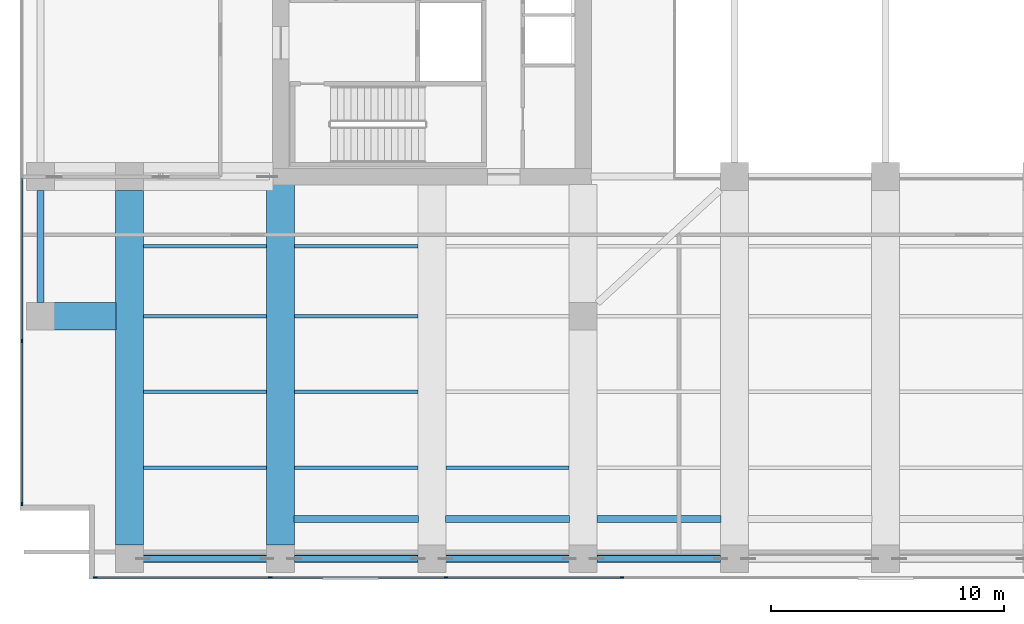
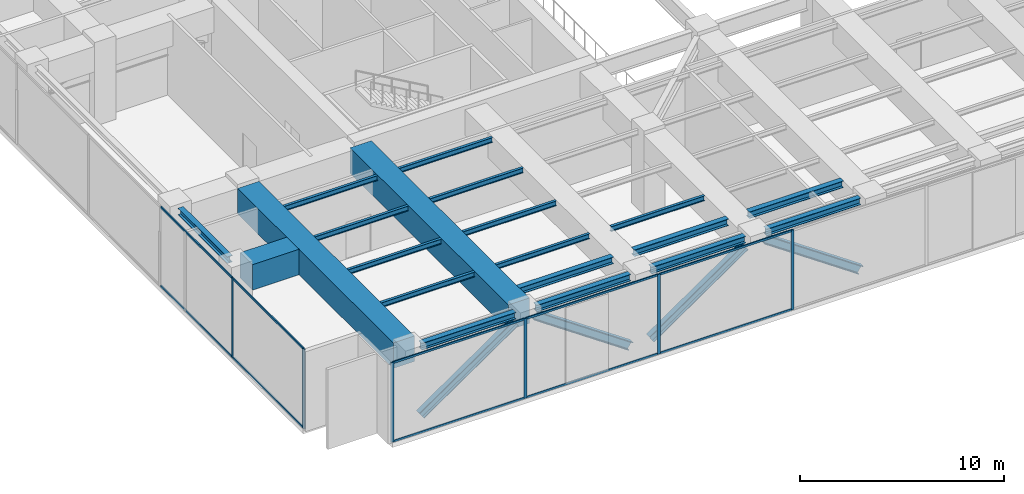
# One storey, part 2 of 28: 20 beams, 20 members, 2 elements without a shape of their own.
"""IFC4 building model written with IfcOpenShell, lengths in metres."""

from ifc_helpers import new_model, si_unit, direction, frame, origin, origin_2d, place, context, subcontext, project, spatial, rectangle, i_section, extrude, material, layer, layer_set, material_profile, profile_set, type_object, element, aggregate, save


model = new_model("IFC4")

# Units and contexts
model_context = context("Model", 3, precision=1e-05, world=origin(), true_north=direction((0.0, 1.0)))
body_context = subcontext(model_context, "Body", "Model", "MODEL_VIEW")
ifc_project = project(units=[si_unit("LENGTHUNIT", "METRE"), si_unit("AREAUNIT", "SQUARE_METRE"), si_unit("VOLUMEUNIT", "CUBIC_METRE"), si_unit("PLANEANGLEUNIT", "RADIAN"), si_unit("MASSUNIT", "GRAM", prefix="KILO")], contexts=[model_context])

# Site, building, storey
site_placement = place(None, origin())
site = spatial("IfcSite", under=ifc_project, at=site_placement, CompositionType="ELEMENT")
building_placement = place(site_placement, origin())
building = spatial("IfcBuilding", under=site, at=building_placement, Name="Putna Gate Headquarters", CompositionType="ELEMENT")
storey_placement = place(building_placement, frame((0.0, 0.0, 139.199951171875)))
storey = spatial("IfcBuildingStorey", under=building, at=storey_placement, Name="L34", CompositionType="ELEMENT", Elevation=139.199951171875)

# Beams
ifc_material_1 = material(Name="Steel S355J2", Category="steel")
ifc_material_profile_1 = material_profile(ifc_material_1, i_section(OverallWidth=0.14990234375, OverallDepth=0.300048828125, WebThickness=0.007080078125, FlangeThickness=0.0107421875, at=origin_2d()), Name="Steel S355J2")
ifc_profile_set_1 = profile_set([ifc_material_profile_1], Name="Steel S355J2")
beam_type_1 = type_object("IfcBeamType", Name="BM-SEC-Z3-IPE300", PredefinedType="JOIST", material=ifc_profile_set_1)
for number, where, z_axis, x_axis, name in (
    (1, (7.10400390625, 6.5, 4.6220703125), (1.0, 0.0, 0.0), (0.0, 1.0, 0.0), "L34 South Secondary Beam 1"),
    (2, (7.10400390625, 9.75, 4.6220703125), (1.0, 0.0, 0.0), (0.0, 1.0, 0.0), "L34 South Secondary Beam 1"),
    (3, (7.10400390625, 13.0, 4.6220703125), (1.0, 0.0, 0.0), (0.0, 1.0, 0.0), "L34 South Secondary Beam 1"),
    (4, (7.10400390625, 16.0, 4.6220703125), (1.0, 0.0, 0.0), (0.0, 1.0, 0.0), "L34 South Secondary Beam 1"),
    (5, (13.60400390625, 6.5, 4.6220703125), (1.0, 0.0, 0.0), (0.0, 1.0, 0.0), "L34 South Secondary Beam 2"),
    (6, (13.60400390625, 9.75, 4.6220703125), (1.0, 0.0, 0.0), (0.0, 1.0, 0.0), "L34 South Secondary Beam 2"),
    (7, (13.60400390625, 13.0, 4.6220703125), (1.0, 0.0, 0.0), (0.0, 1.0, 0.0), "L34 South Secondary Beam 2"),
    (8, (13.60400390625, 16.0, 4.6220703125), (1.0, 0.0, 0.0), (0.0, 1.0, 0.0), "L34 South Secondary Beam 2"),
    (9, (20.10400390625, 6.5, 4.6220703125), (1.0, 0.0, 0.0), (0.0, 1.0, 0.0), "L34 South Secondary Beam 3"),
):
    element("IfcBeam", number, at=place(storey_placement, frame(where, z_axis=z_axis, x_axis=x_axis)), inside=storey, type_object=beam_type_1, Name=name, PredefinedType="JOIST", context=body_context, shape_type="SweptSolid", body=[
        extrude(i_section(OverallWidth=0.14990234375, OverallDepth=0.300048828125, WebThickness=0.007080078125, FlangeThickness=0.0107421875, at=origin_2d()), origin(), (0.0, 0.0, 1.0), 5.2919921875),
    ])
ifc_material_profile_2 = material_profile(ifc_material_1, i_section(OverallWidth=0.300048828125, OverallDepth=0.39990234375, WebThickness=0.013427734375, FlangeThickness=0.02392578125, at=origin_2d()), Name="Steel S355J2")
ifc_profile_set_2 = profile_set([ifc_material_profile_2], Name="Steel S355J2")
beam_type_2 = type_object("IfcBeamType", Name="BM-SPAN-Z3-HEB400", PredefinedType="SPANDREL", material=ifc_profile_set_2)
for number, where, z_axis, x_axis, name in (
    (10, (7.087890625, 2.580078125, 4.572021484375), (1.0, 0.0, 0.0), (0.0, 1.0, 0.0), "L34 S Perimeter Spandrel 1"),
    (11, (13.587890625, 2.580078125, 4.572021484375), (1.0, 0.0, 0.0), (0.0, 1.0, 0.0), "L34 S Perimeter Spandrel 2"),
    (12, (20.087890625, 2.580078125, 4.572021484375), (1.0, 0.0, 0.0), (0.0, 1.0, 0.0), "L34 S Perimeter Spandrel 3"),
    (13, (26.587890625, 2.580078125, 4.572021484375), (1.0, 0.0, 0.0), (0.0, 1.0, 0.0), "L34 S Perimeter Spandrel 4"),
):
    element("IfcBeam", number, at=place(storey_placement, frame(where, z_axis=z_axis, x_axis=x_axis)), inside=storey, type_object=beam_type_2, Name=name, PredefinedType="SPANDREL", context=body_context, shape_type="SweptSolid", body=[
        extrude(i_section(OverallWidth=0.300048828125, OverallDepth=0.39990234375, WebThickness=0.013427734375, FlangeThickness=0.02392578125, at=origin_2d()), origin(), (0.0, 0.0, 1.0), 5.32421875),
    ])
beam_1_placement = place(storey_placement, frame((2.679931640625, 13.587890625, 4.572021484375), z_axis=(0.0, 1.0, 0.0), x_axis=(-1.0, 0.0, 0.0)))
element("IfcBeam", 14, at=beam_1_placement, inside=storey, type_object=beam_type_2, Name="L34 W End Spandrel 1", PredefinedType="SPANDREL", context=body_context, shape_type="SweptSolid", body=[
    extrude(i_section(OverallWidth=0.300048828125, OverallDepth=0.39990234375, WebThickness=0.013427734375, FlangeThickness=0.02392578125, at=origin_2d()), origin(), (0.0, 0.0, 1.0), 4.82421875),
])
for number, where, z_axis, x_axis, name in (
    (15, (13.5849609375, 4.280029296875, 4.572021484375), (1.0, 0.0, 0.0), (0.0, 1.0, 0.0), "L34 Setback Edge Beam S1"),
    (16, (20.0849609375, 4.280029296875, 4.572021484375), (1.0, 0.0, 0.0), (0.0, 1.0, 0.0), "L34 Setback Edge Beam S2"),
    (17, (26.5849609375, 4.280029296875, 4.572021484375), (1.0, 0.0, 0.0), (0.0, 1.0, 0.0), "L34 Setback Edge Beam S3"),
):
    element("IfcBeam", number, at=place(storey_placement, frame(where, z_axis=z_axis, x_axis=x_axis)), inside=storey, type_object=beam_type_2, Name=name, PredefinedType="SPANDREL", context=body_context, shape_type="SweptSolid", body=[
        extrude(i_section(OverallWidth=0.300048828125, OverallDepth=0.39990234375, WebThickness=0.013427734375, FlangeThickness=0.02392578125, at=origin_2d()), origin(), (0.0, 0.0, 1.0), 5.330078125),
    ])
ifc_material_2 = material(Name="Concrete C50/60", Category="concrete")
ifc_material_profile_3 = material_profile(ifc_material_2, rectangle(XDim=1.199951171875, YDim=1.52001953125, at=origin_2d()), Name="Concrete C50/60")
ifc_profile_set_3 = profile_set([ifc_material_profile_3], Name="Concrete C50/60")
beam_type_3 = type_object("IfcBeamType", Name="BM-TG-RC1520", PredefinedType="USERDEFINED", material=ifc_profile_set_3)
beam_2_placement = place(storey_placement, frame((3.26806640625, 13.0, 4.011962890625), z_axis=(1.0, 0.0, 0.0), x_axis=(0.0, 1.0, 0.0)))
element("IfcBeam", 18, at=beam_2_placement, inside=storey, type_object=beam_type_3, Name="L34 West Setback Girder Y13", ObjectType="GIRDER", PredefinedType="USERDEFINED", context=body_context, shape_type="SweptSolid", body=[
    extrude(rectangle(XDim=1.199951171875, YDim=1.52001953125, at=origin_2d()), origin(), (0.0, 0.0, 1.0), 2.64697265625),
])
beam_3_placement = place(storey_placement, frame((6.5, 3.16796875, 4.011962890625), z_axis=(0.0, 1.0, 0.0), x_axis=(-1.0, 0.0, 0.0)))
element("IfcBeam", 19, at=beam_3_placement, inside=storey, type_object=beam_type_3, Name="L34 South Primary Girder X6", ObjectType="GIRDER", PredefinedType="USERDEFINED", context=body_context, shape_type="SweptSolid", body=[
    extrude(rectangle(XDim=1.199951171875, YDim=1.52001953125, at=origin_2d()), origin(), (0.0, 0.0, 1.0), 15.244140625),
])
beam_4_placement = place(storey_placement, frame((13.0, 3.16796875, 4.011962890625), z_axis=(0.0, 1.0, 0.0), x_axis=(-1.0, 0.0, 0.0)))
element("IfcBeam", 20, at=beam_4_placement, inside=storey, type_object=beam_type_3, Name="L34 South Primary Girder X13", ObjectType="GIRDER", PredefinedType="USERDEFINED", context=body_context, shape_type="SweptSolid", body=[
    extrude(rectangle(XDim=1.199951171875, YDim=1.52001953125, at=origin_2d()), origin(), (0.0, 0.0, 1.0), 15.4970703125),
])

# Members
ifc_material_3 = material(Name="Steel S460M", Category="steel")
ifc_material_profile_4 = material_profile(ifc_material_3, i_section(OverallWidth=0.306884765625, OverallDepth=0.47802734375, WebThickness=0.02099609375, FlangeThickness=0.0400390625, at=origin_2d()), Name="Steel S460M")
ifc_profile_set_4 = profile_set([ifc_material_profile_4], Name="Steel S460M")
member_type_1 = type_object("IfcMemberType", Name="MEM-BELT-DIAG-HEM450", PredefinedType="BRACE", material=ifc_profile_set_4)
for number, where, z_axis, x_axis, name in (
    (21, (7.0849609375, 2.580078125, 0.449951171875), (0.823486846025, 0.0, 0.567335363277), (0.0, 1.0, 0.0), "L34 Belt Truss Diagonal S1"),
    (22, (13.5849609375, 2.580078125, 4.1220703125), (0.823486846025, 0.0, -0.567335363277), (0.0, 1.0, 0.0), "L34 Belt Truss Diagonal S2"),
    (23, (20.0849609375, 2.580078125, 0.449951171875), (0.823486846025, 0.0, 0.567335363277), (0.0, 1.0, 0.0), "L34 Belt Truss Diagonal S3"),
    (24, (26.5849609375, 2.580078125, 4.1220703125), (0.823486846025, 0.0, -0.567335363277), (0.0, 1.0, 0.0), "L34 Belt Truss Diagonal S4"),
):
    element("IfcMember", number, at=place(storey_placement, frame(where, z_axis=z_axis, x_axis=x_axis)), inside=storey, type_object=member_type_1, Name=name, PredefinedType="BRACE", context=body_context, shape_type="SweptSolid", body=[
        extrude(i_section(OverallWidth=0.306884765625, OverallDepth=0.47802734375, WebThickness=0.02099609375, FlangeThickness=0.0400390625, at=origin_2d()), origin(), (0.0, 0.0, 1.0), 6.47265625),
    ])

# Curtain wall, members
ifc_material_4 = material(Name="Anodised bronze aluminium curtain wall", Category="aluminium")
ifc_layer = layer(ifc_material_4, 0.159912109375)
ifc_layer_set = layer_set([ifc_layer], Name="Anodised bronze aluminium curtain wall")
curtain_wall_type = type_object("IfcCurtainWallType", Name="CW-SYS-CRN", PredefinedType="USERDEFINED", material=ifc_layer_set)
curtain_wall_1_placement = place(storey_placement, origin())
curtain_wall_1 = element("IfcCurtainWall", 25, at=curtain_wall_1_placement, inside=storey, type_object=curtain_wall_type, Name="L34 Acoustic Louvre South Enclosure", ObjectType="STICK CURTAIN WALL", PredefinedType="USERDEFINED")
ifc_material_5 = material(Name="Anodised bronze aluminium EN AW-6060", Category="aluminium")
ifc_material_profile_5 = material_profile(ifc_material_5, rectangle(XDim=0.06494140625, YDim=0.159912109375, at=origin_2d()), Name="Anodised bronze aluminium EN AW-6060")
ifc_profile_set_5 = profile_set([ifc_material_profile_5], Name="Anodised bronze aluminium EN AW-6060")
member_type_2 = type_object("IfcMemberType", Name="MULL-CWM-CR", PredefinedType="MULLION", material=ifc_profile_set_5)
member_1_placement = place(storey_placement, frame((5.032470703125, 1.780029296875, 0.0), z_axis=(0.0, 0.0, 1.0), x_axis=(0.0, 1.0, 0.0)))
member_1 = element("IfcMember", 26, at=member_1_placement, type_object=member_type_2, Name="CWS-CR mullion 1", PredefinedType="MULLION", context=body_context, shape_type="SweptSolid", body=[
    extrude(rectangle(XDim=0.06494140625, YDim=0.159912109375, at=origin_2d()), origin(), (0.0, 0.0, 1.0), 4.77197265625),
])
member_2_placement = place(storey_placement, frame((12.5556640625, 1.780029296875, 0.0), z_axis=(0.0, 0.0, 1.0), x_axis=(0.0, 1.0, 0.0)))
member_2 = element("IfcMember", 27, at=member_2_placement, type_object=member_type_2, Name="CWS-CR mullion 2", PredefinedType="MULLION", context=body_context, shape_type="SweptSolid", body=[
    extrude(rectangle(XDim=0.06494140625, YDim=0.159912109375, at=origin_2d()), origin(), (0.0, 0.0, 1.0), 4.77197265625),
])
member_3_placement = place(storey_placement, frame((20.111083984375, 1.780029296875, 0.0), z_axis=(0.0, 0.0, 1.0), x_axis=(0.0, 1.0, 0.0)))
member_3 = element("IfcMember", 28, at=member_3_placement, type_object=member_type_2, Name="CWS-CR mullion 3", PredefinedType="MULLION", context=body_context, shape_type="SweptSolid", body=[
    extrude(rectangle(XDim=0.06494140625, YDim=0.159912109375, at=origin_2d()), origin(), (0.0, 0.0, 1.0), 4.77197265625),
])
member_4_placement = place(storey_placement, frame((27.666748046875, 1.780029296875, 0.0), z_axis=(0.0, 0.0, 1.0), x_axis=(0.0, 1.0, 0.0)))
member_4 = element("IfcMember", 29, at=member_4_placement, type_object=member_type_2, Name="CWS-CR mullion 4", PredefinedType="MULLION", context=body_context, shape_type="SweptSolid", body=[
    extrude(rectangle(XDim=0.06494140625, YDim=0.159912109375, at=origin_2d()), origin(), (0.0, 0.0, 1.0), 4.77197265625),
])

curtain_wall_2_placement = place(storey_placement, origin())
curtain_wall_2 = element("IfcCurtainWall", 30, at=curtain_wall_2_placement, inside=storey, type_object=curtain_wall_type, Name="L34 Acoustic Louvre West Enclosure", ObjectType="STICK CURTAIN WALL", PredefinedType="USERDEFINED")
member_5_placement = place(storey_placement, frame((1.8798828125, 4.9326171875, 0.0), z_axis=(0.0, 0.0, 1.0), x_axis=(-1.0, 0.0, 0.0)))
member_5 = element("IfcMember", 31, at=member_5_placement, type_object=member_type_2, Name="CWS-CR mullion 1", PredefinedType="MULLION", context=body_context, shape_type="SweptSolid", body=[
    extrude(rectangle(XDim=0.06494140625, YDim=0.159912109375, at=origin_2d()), origin(), (0.0, 0.0, 1.0), 4.77197265625),
])
member_6_placement = place(storey_placement, frame((1.8798828125, 11.933349609375, 0.0), z_axis=(0.0, 0.0, 1.0), x_axis=(-1.0, 0.0, 0.0)))
member_6 = element("IfcMember", 32, at=member_6_placement, type_object=member_type_2, Name="CWS-CR mullion 2", PredefinedType="MULLION", context=body_context, shape_type="SweptSolid", body=[
    extrude(rectangle(XDim=0.06494140625, YDim=0.159912109375, at=origin_2d()), origin(), (0.0, 0.0, 1.0), 4.77197265625),
])

# Member
ifc_material_profile_6 = material_profile(ifc_material_5, rectangle(XDim=0.06494140625, YDim=0.1201171875, at=origin_2d()), Name="Anodised bronze aluminium EN AW-6060")
ifc_profile_set_6 = profile_set([ifc_material_profile_6], Name="Anodised bronze aluminium EN AW-6060")
member_type_3 = type_object("IfcMemberType", Name="TRAN-CWT-CR", PredefinedType="USERDEFINED", material=ifc_profile_set_6)
member_7_placement = place(storey_placement, frame((5.06494140625, 1.780029296875, 0.032470703125), z_axis=(1.0, 0.0, 0.0), x_axis=(0.0, 1.0, 0.0)))
member_7 = element("IfcMember", 33, at=member_7_placement, type_object=member_type_3, Name="CWS-CR transom 1.1", ObjectType="TRANSOM", PredefinedType="USERDEFINED", context=body_context, shape_type="SweptSolid", body=[
    extrude(rectangle(XDim=0.06494140625, YDim=0.1201171875, at=origin_2d()), origin(), (0.0, 0.0, 1.0), 7.4580078125),
])

member_8_placement = place(storey_placement, frame((5.06494140625, 1.780029296875, 4.739501953125), z_axis=(1.0, 0.0, 0.0), x_axis=(0.0, 1.0, 0.0)))
member_8 = element("IfcMember", 34, at=member_8_placement, type_object=member_type_3, Name="CWS-CR transom 1.2", ObjectType="TRANSOM", PredefinedType="USERDEFINED", context=body_context, shape_type="SweptSolid", body=[
    extrude(rectangle(XDim=0.06494140625, YDim=0.1201171875, at=origin_2d()), origin(), (0.0, 0.0, 1.0), 7.4580078125),
])

member_9_placement = place(storey_placement, frame((12.588134765625, 1.780029296875, 0.032470703125), z_axis=(1.0, 0.0, 0.0), x_axis=(0.0, 1.0, 0.0)))
member_9 = element("IfcMember", 35, at=member_9_placement, type_object=member_type_3, Name="CWS-CR transom 2.1", ObjectType="TRANSOM", PredefinedType="USERDEFINED", context=body_context, shape_type="SweptSolid", body=[
    extrude(rectangle(XDim=0.06494140625, YDim=0.1201171875, at=origin_2d()), origin(), (0.0, 0.0, 1.0), 7.490478515625),
])

member_10_placement = place(storey_placement, frame((12.588134765625, 1.780029296875, 4.739501953125), z_axis=(1.0, 0.0, 0.0), x_axis=(0.0, 1.0, 0.0)))
member_10 = element("IfcMember", 36, at=member_10_placement, type_object=member_type_3, Name="CWS-CR transom 2.2", ObjectType="TRANSOM", PredefinedType="USERDEFINED", context=body_context, shape_type="SweptSolid", body=[
    extrude(rectangle(XDim=0.06494140625, YDim=0.1201171875, at=origin_2d()), origin(), (0.0, 0.0, 1.0), 7.490478515625),
])

member_11_placement = place(storey_placement, frame((20.1435546875, 1.780029296875, 0.032470703125), z_axis=(1.0, 0.0, 0.0), x_axis=(0.0, 1.0, 0.0)))
member_11 = element("IfcMember", 37, at=member_11_placement, type_object=member_type_3, Name="CWS-CR transom 3.1", ObjectType="TRANSOM", PredefinedType="USERDEFINED", context=body_context, shape_type="SweptSolid", body=[
    extrude(rectangle(XDim=0.06494140625, YDim=0.1201171875, at=origin_2d()), origin(), (0.0, 0.0, 1.0), 7.49072265625),
])

member_12_placement = place(storey_placement, frame((20.1435546875, 1.780029296875, 4.739501953125), z_axis=(1.0, 0.0, 0.0), x_axis=(0.0, 1.0, 0.0)))
member_12 = element("IfcMember", 38, at=member_12_placement, type_object=member_type_3, Name="CWS-CR transom 3.2", ObjectType="TRANSOM", PredefinedType="USERDEFINED", context=body_context, shape_type="SweptSolid", body=[
    extrude(rectangle(XDim=0.06494140625, YDim=0.1201171875, at=origin_2d()), origin(), (0.0, 0.0, 1.0), 7.49072265625),
])

aggregate(curtain_wall_1, [member_1, member_2, member_3, member_4, member_7, member_8, member_9, member_10, member_11, member_12])

member_13_placement = place(storey_placement, frame((1.8798828125, 4.965087890625, 0.032470703125), z_axis=(0.0, 1.0, 0.0), x_axis=(-1.0, 0.0, 0.0)))
member_13 = element("IfcMember", 39, at=member_13_placement, type_object=member_type_3, Name="CWS-CR transom 1.1", ObjectType="TRANSOM", PredefinedType="USERDEFINED", context=body_context, shape_type="SweptSolid", body=[
    extrude(rectangle(XDim=0.06494140625, YDim=0.1201171875, at=origin_2d()), origin(), (0.0, 0.0, 1.0), 6.935791015625),
])

member_14_placement = place(storey_placement, frame((1.8798828125, 4.965087890625, 4.739501953125), z_axis=(0.0, 1.0, 0.0), x_axis=(-1.0, 0.0, 0.0)))
member_14 = element("IfcMember", 40, at=member_14_placement, type_object=member_type_3, Name="CWS-CR transom 1.2", ObjectType="TRANSOM", PredefinedType="USERDEFINED", context=body_context, shape_type="SweptSolid", body=[
    extrude(rectangle(XDim=0.06494140625, YDim=0.1201171875, at=origin_2d()), origin(), (0.0, 0.0, 1.0), 6.935791015625),
])

member_15_placement = place(storey_placement, frame((1.8798828125, 11.9658203125, 0.032470703125), z_axis=(0.0, 1.0, 0.0), x_axis=(-1.0, 0.0, 0.0)))
member_15 = element("IfcMember", 41, at=member_15_placement, type_object=member_type_3, Name="CWS-CR transom 2.1", ObjectType="TRANSOM", PredefinedType="USERDEFINED", context=body_context, shape_type="SweptSolid", body=[
    extrude(rectangle(XDim=0.06494140625, YDim=0.1201171875, at=origin_2d()), origin(), (0.0, 0.0, 1.0), 6.96826171875),
])

member_16_placement = place(storey_placement, frame((1.8798828125, 11.9658203125, 4.739501953125), z_axis=(0.0, 1.0, 0.0), x_axis=(-1.0, 0.0, 0.0)))
member_16 = element("IfcMember", 42, at=member_16_placement, type_object=member_type_3, Name="CWS-CR transom 2.2", ObjectType="TRANSOM", PredefinedType="USERDEFINED", context=body_context, shape_type="SweptSolid", body=[
    extrude(rectangle(XDim=0.06494140625, YDim=0.1201171875, at=origin_2d()), origin(), (0.0, 0.0, 1.0), 6.96826171875),
])

aggregate(curtain_wall_2, [member_5, member_6, member_13, member_14, member_15, member_16])

save(model, "model.ifc")
